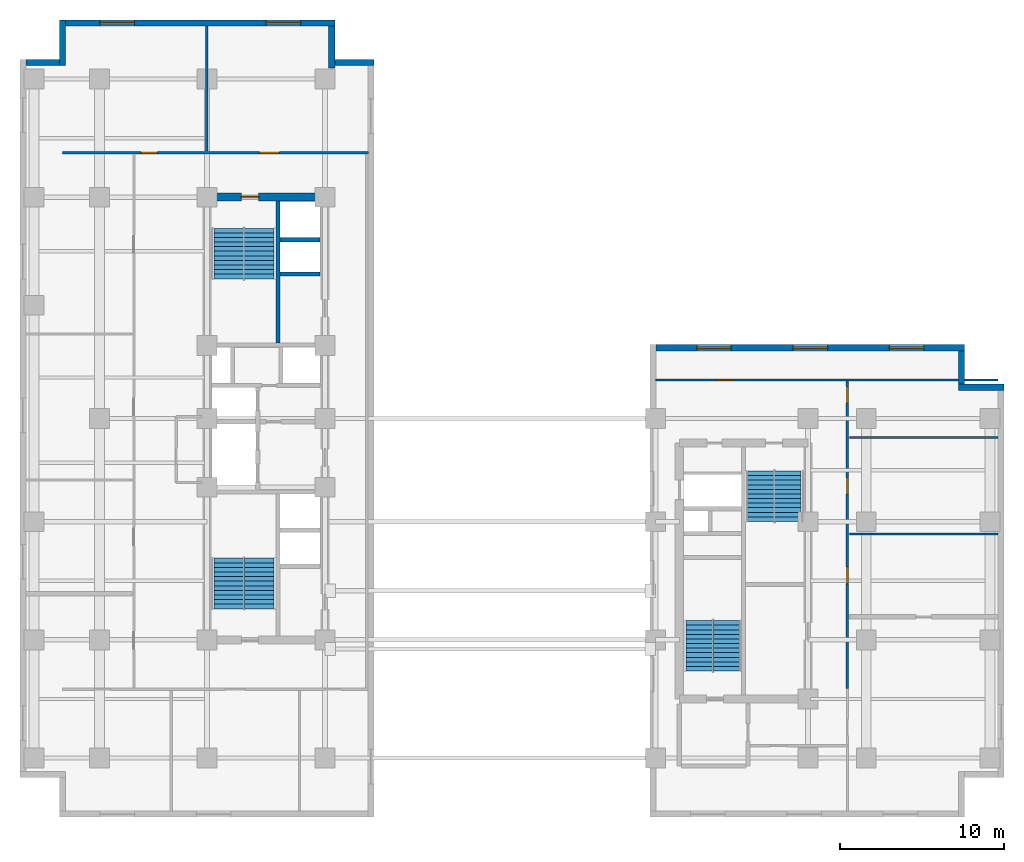
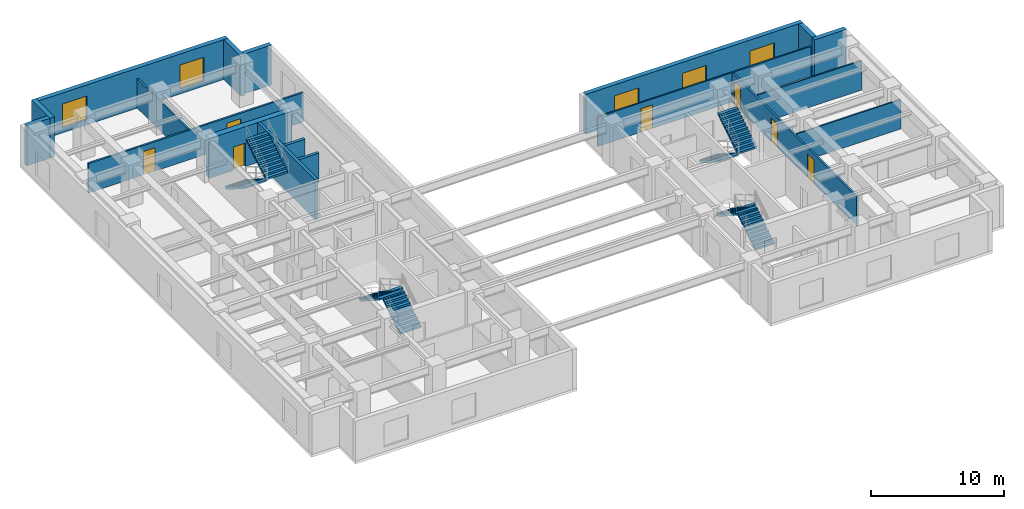
# One storey, part 5 of 8: 18 walls, 8 stair flights, 7 doors, 5 windows, 12 openings, 4 elements without a shape of their own.
"""IFC4 building model written with IfcOpenShell, lengths in metres."""

import ifcopenshell
import ifcopenshell.guid

model = None  # the IFC model being written
_history = None  # IfcOwnerHistory: only IFC2X3 demands one
_inside = {}  # id of a spatial element -> (the spatial element, [elements in it])
_under = {}  # id of a project, library or spatial element -> (it, [spatial elements below it])
_declared = {}  # id of a project -> (the project, [libraries it declares])
_typed = {}  # id of a type object -> (the type object, [elements of that type])
_made_of = {}  # id of a material, layer set ... -> (it, [elements and type objects made of it])


def new_model(schema):
    """Start an empty IFC model of exactly this schema.

    Asked for "IFC4X3", IfcOpenShell would pick the latest addendum, in which some entities
    have other attributes; the version numbers below select the first issue.
    IFC2X3 requires an IfcOwnerHistory on every rooted entity: one is made here for all.
    """
    global model, _history
    if schema == "IFC4X3":
        model = ifcopenshell.file(schema_version=(4, 3, 0, 0))
    else:
        model = ifcopenshell.file(schema=schema)
    _inside.clear()
    _under.clear()
    _declared.clear()
    _typed.clear()
    _made_of.clear()
    _history = None
    if model.schema == "IFC2X3":
        org = make("IfcOrganization", Name="unknown")
        user = make(
            "IfcPersonAndOrganization",
            ThePerson=make("IfcPerson", FamilyName="unknown"),
            TheOrganization=org,
        )
        app = make(
            "IfcApplication",
            ApplicationDeveloper=org,
            Version="unknown",
            ApplicationFullName="unknown",
            ApplicationIdentifier="unknown",
        )
        _history = make(
            "IfcOwnerHistory",
            OwningUser=user,
            OwningApplication=app,
            ChangeAction="ADDED",
            CreationDate=0,
        )
    return model


def make(cls, **values):
    """One entity of the class cls with the attributes given. An attribute that is None is left unset."""
    return model.create_entity(
        cls, **{name: value for name, value in values.items() if value is not None}
    )


def entity(cls, *values):
    """Any entity or typed value of the class cls, its attributes in the order of the schema. None: left unset."""
    e = model.create_entity(cls)
    for i, value in enumerate(values):
        if value is not None:
            e[i] = value
    return e


def rooted(cls, **values):
    """An entity with a GlobalId (a new one), such as an element, a storey or a relation."""
    return make(cls, GlobalId=ifcopenshell.guid.new(), OwnerHistory=_history, **values)


def si_unit(unit_type, name, prefix=None):
    """IfcSIUnit, for example si_unit("LENGTHUNIT", "METRE", prefix="MILLI")."""
    return make("IfcSIUnit", UnitType=unit_type, Prefix=prefix, Name=name)


def converted_unit(unit_type, name, factor, base, dimensions=None, offset=None):
    """IfcConversionBasedUnit, such as the inch: factor (a typed value) times the base unit."""
    return make(
        "IfcConversionBasedUnit"
        if offset is None
        else "IfcConversionBasedUnitWithOffset",
        ConversionOffset=offset,
        Dimensions=None
        if dimensions is None
        else entity("IfcDimensionalExponents", *dimensions),
        UnitType=unit_type,
        Name=name,
        ConversionFactor=make(
            "IfcMeasureWithUnit", ValueComponent=factor, UnitComponent=base
        ),
    )


def assignment(units):
    """IfcUnitAssignment: the units of a project."""
    return None if units is None else make("IfcUnitAssignment", Units=units)


def point(xyz):
    """IfcCartesianPoint."""
    return None if xyz is None else make("IfcCartesianPoint", Coordinates=xyz)


def direction(xyz):
    """IfcDirection."""
    return None if xyz is None else make("IfcDirection", DirectionRatios=xyz)


def frame(location, z_axis=None, x_axis=None):
    """IfcAxis2Placement3D, a coordinate frame: its origin and axes. An axis left out is left unset."""
    return make(
        "IfcAxis2Placement3D",
        Location=point(location),
        Axis=direction(z_axis),
        RefDirection=direction(x_axis),
    )


def frame_2d(location, x_axis=None):
    """IfcAxis2Placement2D, a coordinate frame in the plane: its origin and x axis."""
    return make(
        "IfcAxis2Placement2D", Location=point(location), RefDirection=direction(x_axis)
    )


def origin_with_axes():
    """The frame at (0, 0, 0) with the z axis (0, 0, 1) and the x axis (1, 0, 0) written out."""
    return frame((0.0, 0.0, 0.0), z_axis=(0.0, 0.0, 1.0), x_axis=(1.0, 0.0, 0.0))


def origin_2d_with_axis():
    """The frame at (0, 0) in the plane with the x axis (1, 0) written out."""
    return frame_2d((0.0, 0.0), x_axis=(1.0, 0.0))


def place(relative_to, where):
    """IfcLocalPlacement: puts the frame where relative to a parent placement (None: the world)."""
    return make(
        "IfcLocalPlacement", PlacementRelTo=relative_to, RelativePlacement=where
    )


def context(
    kind, dimensions, precision=None, world=None, true_north=None, identifier=None
):
    """IfcGeometricRepresentationContext, for example the 3D "Model" context."""
    return make(
        "IfcGeometricRepresentationContext",
        ContextIdentifier=identifier,
        ContextType=kind,
        CoordinateSpaceDimension=dimensions,
        Precision=precision,
        WorldCoordinateSystem=world,
        TrueNorth=true_north,
    )


def subcontext(parent, identifier, kind, view, scale=None):
    """IfcGeometricRepresentationSubContext, for example "Body" below "Model"."""
    return make(
        "IfcGeometricRepresentationSubContext",
        ContextIdentifier=identifier,
        ContextType=kind,
        ParentContext=parent,
        TargetScale=scale,
        TargetView=view,
    )


def project(units=None, contexts=None):
    """IfcProject with its units and contexts."""
    return rooted(
        "IfcProject",
        Name="project",
        RepresentationContexts=contexts,
        UnitsInContext=assignment(units),
    )


def spatial(cls, under=None, at=None, **own):
    """A site, building, storey or space (cls), placed at a placement, below another one or the project."""
    s = rooted(cls, ObjectPlacement=at, **own)
    if under is not None:
        _under.setdefault(under.id(), (under, []))[1].append(s)
    return s


def polyline(points):
    """IfcPolyline through the points."""
    return make("IfcPolyline", Points=[point(p) for p in points])


def profile(cls, at=None, kind="AREA", **sizes):
    """A parametric profile (cls). Its sizes go by their IFC names, for example OverallWidth=200.0."""
    return make(cls, ProfileType=kind, Position=at, **sizes)


def rectangle(**sizes):
    """IfcRectangleProfileDef."""
    return profile("IfcRectangleProfileDef", **sizes)


def outline(outer, holes=None, kind="AREA"):
    """IfcArbitraryClosedProfileDef: a profile drawn as a closed curve; with holes, ...WithVoids."""
    if holes is None:
        return make("IfcArbitraryClosedProfileDef", ProfileType=kind, OuterCurve=outer)
    return make(
        "IfcArbitraryProfileDefWithVoids",
        ProfileType=kind,
        OuterCurve=outer,
        InnerCurves=holes,
    )


def extrude(swept, where, along, depth):
    """IfcExtrudedAreaSolid: the profile swept, set in the frame where, extruded along a direction by depth."""
    return make(
        "IfcExtrudedAreaSolid",
        SweptArea=swept,
        Position=where,
        ExtrudedDirection=direction(along),
        Depth=depth,
    )


def shape(context_of_items, identifier, shape_type, items):
    """IfcShapeRepresentation: the items that make up one representation, for example the "Body"."""
    return make(
        "IfcShapeRepresentation",
        ContextOfItems=context_of_items,
        RepresentationIdentifier=identifier,
        RepresentationType=shape_type,
        Items=items,
    )


def material(Name=None, Category=None):
    """IfcMaterial."""
    return make("IfcMaterial", Name=Name, Category=Category)


def layer(
    of_material, thickness, ventilated=None, Name=None, Category=None, Priority=None
):
    """IfcMaterialLayer: one layer of a wall or slab, of a material (None: an air gap)."""
    return make(
        "IfcMaterialLayer",
        Material=of_material,
        LayerThickness=thickness,
        IsVentilated=ventilated,
        Name=Name,
        Category=Category,
        Priority=Priority,
    )


def layer_set(layers, Name=None):
    """IfcMaterialLayerSet."""
    return make("IfcMaterialLayerSet", MaterialLayers=layers, LayerSetName=Name)


def made_of(thing, what):
    """Note that an element or type object is made of a material, layer set ...; save() writes the relation."""
    if what is not None:
        _made_of.setdefault(what.id(), (what, []))[1].append(thing)
    return thing


def type_object(cls, material=None, **own):
    """A type object (cls), such as IfcWallType, which elements share."""
    return made_of(rooted(cls, **own), material)


def element(
    cls,
    number,
    at=None,
    inside=None,
    cuts=None,
    type_object=None,
    material=None,
    context=None,
    identifier="Body",
    shape_type=None,
    held_by="IfcProductDefinitionShape",
    body=None,
    shapes=None,
    **own,
):
    """One element of the class cls, such as IfcWall. Its Tag is "e" and its number.

    at: its placement. inside: the storey or other place that contains it. cuts: it is an
    opening in that element (IfcRelVoidsElement). A single representation is given by context,
    identifier, shape_type and body (its items); several are given by shapes. held_by: the class
    of the entity that holds the representations. save() writes the other relations.
    """
    e = rooted(cls, Tag="e%d" % number, ObjectPlacement=at, **own)
    if body is not None:
        shapes = [shape(context, identifier, shape_type, body)]
    if shapes is not None:
        e.Representation = make(held_by, Representations=shapes)
    if inside is not None:
        _inside.setdefault(inside.id(), (inside, []))[1].append(e)
    if cuts is not None:
        rooted(
            "IfcRelVoidsElement", RelatingBuildingElement=cuts, RelatedOpeningElement=e
        )
    if type_object is not None:
        _typed.setdefault(type_object.id(), (type_object, []))[1].append(e)
    return made_of(e, material)


def fill(opening, filler):
    """IfcRelFillsElement: the door or window that sits in an opening."""
    return rooted(
        "IfcRelFillsElement",
        RelatingOpeningElement=opening,
        RelatedBuildingElement=filler,
    )


def aggregate(whole, parts):
    """IfcRelAggregates: a whole, such as a stair, and the parts it consists of."""
    return rooted("IfcRelAggregates", RelatingObject=whole, RelatedObjects=parts)


def save(model, path):
    """Write the relations noted so far, then the file.

    IfcRelAggregates (storeys below a building ...), IfcRelContainedInSpatialStructure (elements
    in a storey), IfcRelDefinesByType, IfcRelAssociatesMaterial and IfcRelDeclares: one each for
    every whole, place, type object, material and project.
    """
    for whole, parts in _under.values():
        aggregate(whole, parts)
    for where, things in _inside.values():
        rooted(
            "IfcRelContainedInSpatialStructure",
            RelatedElements=things,
            RelatingStructure=where,
        )
    for kind, things in _typed.values():
        rooted("IfcRelDefinesByType", RelatedObjects=things, RelatingType=kind)
    for what, things in _made_of.values():
        rooted("IfcRelAssociatesMaterial", RelatedObjects=things, RelatingMaterial=what)
    for by, libraries in _declared.values():
        rooted("IfcRelDeclares", RelatingContext=by, RelatedDefinitions=libraries)
    model.write(path)


model = new_model("IFC4")

# Units and contexts
model_context = context("Model", 3, precision=1e-05, world=origin_with_axes(), true_north=direction((0.0, 1.0)))
body_context = subcontext(model_context, "Body", "Model", "MODEL_VIEW")
ifc_project = project(units=[si_unit("LENGTHUNIT", "METRE"), si_unit("AREAUNIT", "SQUARE_METRE"), si_unit("VOLUMEUNIT", "CUBIC_METRE"), converted_unit("PLANEANGLEUNIT", "DEGREE", entity("IfcPlaneAngleMeasure", 0.017453292519943295), si_unit("PLANEANGLEUNIT", "RADIAN"), dimensions=[0, 0, 0, 0, 0, 0, 0]), si_unit("MASSUNIT", "GRAM", prefix="KILO"), si_unit("THERMODYNAMICTEMPERATUREUNIT", "KELVIN")], contexts=[model_context])

# Site, building, storey
site_placement = place(None, origin_with_axes())
site = spatial("IfcSite", under=ifc_project, at=site_placement, CompositionType="ELEMENT")
building_placement = place(site_placement, origin_with_axes())
building = spatial("IfcBuilding", under=site, at=building_placement, Name="Varnlund Millrace Tower", CompositionType="ELEMENT")
storey_placement = place(building_placement, frame((0.0, 0.0, 100.8), z_axis=(0.0, 0.0, 1.0), x_axis=(1.0, 0.0, 0.0)))
storey = spatial("IfcBuildingStorey", under=building, at=storey_placement, Name="L24", CompositionType="ELEMENT", Elevation=100.8)

# Wall, opening, door
ifc_material_1 = material(Name="Concrete C70/85", Category="concrete")
ifc_layer_1 = layer(ifc_material_1, 0.5, Name="Concrete C70/85")
ifc_layer_set_1 = layer_set([ifc_layer_1], Name="Concrete C70/85")
wall_type_1 = type_object("IfcWallType", Name="Type-CoreWall-Shear-500-C70", PredefinedType="SHEAR", material=ifc_layer_set_1)
wall_1_placement = place(storey_placement, frame((11.4, 37.8, 0.0), z_axis=(0.0, 0.0, 1.0), x_axis=(1.0, 0.0, 0.0)))
wall_1 = element("IfcWall", 1, at=wall_1_placement, inside=storey, type_object=wall_type_1, Name="Type-CoreWall-Shear-500-C70", PredefinedType="SHEAR", context=body_context, shape_type="SweptSolid", body=[
    extrude(outline(polyline([(0.0, -0.25), (7.2, -0.25), (7.2, 0.25), (0.0, 0.25), (0.0, -0.25)])), origin_with_axes(), (0.0, 0.0, 1.0), 3.66),
])
opening_1_placement = place(wall_1_placement, frame((2.625, 0.0, 0.0), z_axis=(0.0, 0.0, 1.0), x_axis=(1.0, 0.0, 0.0)))
opening_1 = element("IfcOpeningElement", 2, at=opening_1_placement, cuts=wall_1, Name="Opening L24:DR-STA2", PredefinedType="OPENING", context=body_context, shape_type="SweptSolid", body=[
    extrude(rectangle(XDim=1.05, YDim=0.52, at=origin_2d_with_axis()), origin_with_axes(), (0.0, 0.0, 1.0), 2.15),
])
ifc_material_2 = material(Name="Fire-rated hollow steel door", Category="steel")
door_type_1 = type_object("IfcDoorType", Name="Type-FireDoor-Stair-1050X2150", OperationType="NOTDEFINED", PredefinedType="DOOR", material=ifc_material_2)
door_1_placement = place(wall_1_placement, frame((2.625, 0.0, 0.0), z_axis=(0.0, 0.0, 1.0), x_axis=(1.0, 0.0, 0.0)))
door_1 = element("IfcDoor", 3, at=door_1_placement, inside=storey, type_object=door_type_1, Name="Type-FireDoor-Stair-1050X2150", OperationType="SINGLE_SWING_RIGHT", OverallHeight=2.15, OverallWidth=1.05, PredefinedType="DOOR", context=body_context, shape_type="SweptSolid", body=[
    extrude(rectangle(XDim=1.05, YDim=0.09, at=origin_2d_with_axis()), origin_with_axes(), (0.0, 0.0, 1.0), 2.15),
])
fill(opening_1, door_1)

# Walls
ifc_material_3 = material(Name="Precast concrete C50/60", Category="concrete")
ifc_layer_2 = layer(ifc_material_3, 0.38, Name="Precast concrete C50/60")
ifc_layer_set_2 = layer_set([ifc_layer_2], Name="Precast concrete C50/60")
wall_type_2 = type_object("IfcWallType", Name="Type-ExtWall-Precast-Tube-380", PredefinedType="SOLIDWALL", material=ifc_layer_set_2)
wall_2_placement = place(storey_placement, frame((0.38, 46.01, 0.0), z_axis=(0.0, 0.0, 1.0), x_axis=(1.0, 0.0, 0.0)))
element("IfcWall", 4, at=wall_2_placement, inside=storey, type_object=wall_type_2, Name="Type-ExtWall-Precast-Tube-380", PredefinedType="SOLIDWALL", context=body_context, shape_type="SweptSolid", body=[
    extrude(outline(polyline([(0.0, -0.19), (2.02, -0.19), (2.02, 0.19), (0.0, 0.19), (0.0, -0.19)])), origin_with_axes(), (0.0, 0.0, 1.0), 3.66),
])
wall_3_placement = place(storey_placement, frame((2.59, 45.82, 0.0), z_axis=(0.0, 0.0, 1.0), x_axis=(0.0, 1.0, 0.0)))
element("IfcWall", 5, at=wall_3_placement, inside=storey, type_object=wall_type_2, Name="Type-ExtWall-Precast-Tube-380", PredefinedType="SOLIDWALL", context=body_context, shape_type="SweptSolid", body=[
    extrude(outline(polyline([(0.0, -0.19), (2.78, -0.19), (2.78, 0.19), (0.0, 0.19), (0.0, -0.19)])), origin_with_axes(), (0.0, 0.0, 1.0), 3.66),
])

# Wall, openings, windows
wall_4_placement = place(storey_placement, frame((2.78, 48.41, 0.0), z_axis=(0.0, 0.0, 1.0), x_axis=(1.0, 0.0, 0.0)))
wall_4 = element("IfcWall", 6, at=wall_4_placement, inside=storey, type_object=wall_type_2, Name="Type-ExtWall-Precast-Tube-380", PredefinedType="SOLIDWALL", context=body_context, shape_type="SweptSolid", body=[
    extrude(outline(polyline([(0.0, -0.19), (16.42, -0.19), (16.42, 0.19), (0.0, 0.19), (0.0, -0.19)])), origin_with_axes(), (0.0, 0.0, 1.0), 3.66),
])
opening_2_placement = place(wall_4_placement, frame((3.137, 0.0, 0.45), z_axis=(0.0, 0.0, 1.0), x_axis=(1.0, 0.0, 0.0)))
opening_2 = element("IfcOpeningElement", 7, at=opening_2_placement, cuts=wall_4, Name="Opening L24:WN-06", PredefinedType="OPENING", context=body_context, shape_type="SweptSolid", body=[
    extrude(rectangle(XDim=2.1, YDim=0.4, at=origin_2d_with_axis()), origin_with_axes(), (0.0, 0.0, 1.0), 2.2),
])
opening_3_placement = place(wall_4_placement, frame((13.283, 0.0, 0.45), z_axis=(0.0, 0.0, 1.0), x_axis=(1.0, 0.0, 0.0)))
opening_3 = element("IfcOpeningElement", 8, at=opening_3_placement, cuts=wall_4, Name="Opening L24:WN-07", PredefinedType="OPENING", context=body_context, shape_type="SweptSolid", body=[
    extrude(rectangle(XDim=2.1, YDim=0.4, at=origin_2d_with_axis()), origin_with_axes(), (0.0, 0.0, 1.0), 2.2),
])
ifc_material_4 = material(Name="Argon low-e triple glazing in thermally broken bronze frame", Category="glass")
window_type = type_object("IfcWindowType", Name="Type-Window-Punched-2100X2200", PartitioningType="SINGLE_PANEL", PredefinedType="WINDOW", material=ifc_material_4)
window_1_placement = place(wall_4_placement, frame((3.137, 0.0, 0.45), z_axis=(0.0, 0.0, 1.0), x_axis=(1.0, 0.0, 0.0)))
window_1 = element("IfcWindow", 9, at=window_1_placement, inside=storey, type_object=window_type, Name="Type-Window-Punched-2100X2200", OverallHeight=2.2, OverallWidth=2.1, PredefinedType="WINDOW", context=body_context, shape_type="SweptSolid", body=[
    extrude(rectangle(XDim=2.1, YDim=0.09, at=origin_2d_with_axis()), origin_with_axes(), (0.0, 0.0, 1.0), 2.2),
])
fill(opening_2, window_1)
window_2_placement = place(wall_4_placement, frame((13.283, 0.0, 0.45), z_axis=(0.0, 0.0, 1.0), x_axis=(1.0, 0.0, 0.0)))
window_2 = element("IfcWindow", 10, at=window_2_placement, inside=storey, type_object=window_type, Name="Type-Window-Punched-2100X2200", OverallHeight=2.2, OverallWidth=2.1, PredefinedType="WINDOW", context=body_context, shape_type="SweptSolid", body=[
    extrude(rectangle(XDim=2.1, YDim=0.09, at=origin_2d_with_axis()), origin_with_axes(), (0.0, 0.0, 1.0), 2.2),
])
fill(opening_3, window_2)

# Walls
wall_5_placement = place(storey_placement, frame((19.01, 48.22, 0.0), z_axis=(0.0, 0.0, 1.0), x_axis=(0.0, -1.0, 0.0)))
element("IfcWall", 11, at=wall_5_placement, inside=storey, type_object=wall_type_2, Name="Type-ExtWall-Precast-Tube-380", PredefinedType="SOLIDWALL", context=body_context, shape_type="SweptSolid", body=[
    extrude(outline(polyline([(0.0, -0.19), (2.56, -0.19), (2.56, 0.19), (0.0, 0.19), (0.0, -0.19)])), origin_with_axes(), (0.0, 0.0, 1.0), 3.66),
])
wall_6_placement = place(storey_placement, frame((18.82, 46.01, 0.0), z_axis=(0.0, 0.0, 1.0), x_axis=(1.0, 0.0, 0.0)))
element("IfcWall", 12, at=wall_6_placement, inside=storey, type_object=wall_type_2, Name="Type-ExtWall-Precast-Tube-380", PredefinedType="SOLIDWALL", context=body_context, shape_type="SweptSolid", body=[
    extrude(outline(polyline([(0.0, -0.19), (2.78, -0.19), (2.78, 0.19), (0.0, 0.19), (0.0, -0.19)])), origin_with_axes(), (0.0, 0.0, 1.0), 3.66),
])

# Wall, openings, windows
wall_7_placement = place(storey_placement, frame((38.78, 28.61, 0.0), z_axis=(0.0, 0.0, 1.0), x_axis=(1.0, 0.0, 0.0)))
wall_7 = element("IfcWall", 13, at=wall_7_placement, inside=storey, type_object=wall_type_2, Name="Type-ExtWall-Precast-Tube-380", PredefinedType="SOLIDWALL", context=body_context, shape_type="SweptSolid", body=[
    extrude(outline(polyline([(0.0, -0.19), (18.82, -0.19), (18.82, 0.19), (0.0, 0.19), (0.0, -0.19)])), origin_with_axes(), (0.0, 0.0, 1.0), 3.66),
])
opening_4_placement = place(wall_7_placement, frame((3.537, 0.0, 0.45), z_axis=(0.0, 0.0, 1.0), x_axis=(1.0, 0.0, 0.0)))
opening_4 = element("IfcOpeningElement", 14, at=opening_4_placement, cuts=wall_7, Name="Opening L24:WN-12", PredefinedType="OPENING", context=body_context, shape_type="SweptSolid", body=[
    extrude(rectangle(XDim=2.1, YDim=0.4, at=origin_2d_with_axis()), origin_with_axes(), (0.0, 0.0, 1.0), 2.2),
])
opening_5_placement = place(wall_7_placement, frame((9.41, 0.0, 0.45), z_axis=(0.0, 0.0, 1.0), x_axis=(1.0, 0.0, 0.0)))
opening_5 = element("IfcOpeningElement", 15, at=opening_5_placement, cuts=wall_7, Name="Opening L24:WN-13", PredefinedType="OPENING", context=body_context, shape_type="SweptSolid", body=[
    extrude(rectangle(XDim=2.1, YDim=0.4, at=origin_2d_with_axis()), origin_with_axes(), (0.0, 0.0, 1.0), 2.2),
])
opening_6_placement = place(wall_7_placement, frame((15.283, 0.0, 0.45), z_axis=(0.0, 0.0, 1.0), x_axis=(1.0, 0.0, 0.0)))
opening_6 = element("IfcOpeningElement", 16, at=opening_6_placement, cuts=wall_7, Name="Opening L24:WN-14", PredefinedType="OPENING", context=body_context, shape_type="SweptSolid", body=[
    extrude(rectangle(XDim=2.1, YDim=0.4, at=origin_2d_with_axis()), origin_with_axes(), (0.0, 0.0, 1.0), 2.2),
])
window_3_placement = place(wall_7_placement, frame((3.537, 0.0, 0.45), z_axis=(0.0, 0.0, 1.0), x_axis=(1.0, 0.0, 0.0)))
window_3 = element("IfcWindow", 17, at=window_3_placement, inside=storey, type_object=window_type, Name="Type-Window-Punched-2100X2200", OverallHeight=2.2, OverallWidth=2.1, PredefinedType="WINDOW", context=body_context, shape_type="SweptSolid", body=[
    extrude(rectangle(XDim=2.1, YDim=0.09, at=origin_2d_with_axis()), origin_with_axes(), (0.0, 0.0, 1.0), 2.2),
])
fill(opening_4, window_3)
window_4_placement = place(wall_7_placement, frame((9.41, 0.0, 0.45), z_axis=(0.0, 0.0, 1.0), x_axis=(1.0, 0.0, 0.0)))
window_4 = element("IfcWindow", 18, at=window_4_placement, inside=storey, type_object=window_type, Name="Type-Window-Punched-2100X2200", OverallHeight=2.2, OverallWidth=2.1, PredefinedType="WINDOW", context=body_context, shape_type="SweptSolid", body=[
    extrude(rectangle(XDim=2.1, YDim=0.09, at=origin_2d_with_axis()), origin_with_axes(), (0.0, 0.0, 1.0), 2.2),
])
fill(opening_5, window_4)
window_5_placement = place(wall_7_placement, frame((15.283, 0.0, 0.45), z_axis=(0.0, 0.0, 1.0), x_axis=(1.0, 0.0, 0.0)))
window_5 = element("IfcWindow", 19, at=window_5_placement, inside=storey, type_object=window_type, Name="Type-Window-Punched-2100X2200", OverallHeight=2.2, OverallWidth=2.1, PredefinedType="WINDOW", context=body_context, shape_type="SweptSolid", body=[
    extrude(rectangle(XDim=2.1, YDim=0.09, at=origin_2d_with_axis()), origin_with_axes(), (0.0, 0.0, 1.0), 2.2),
])
fill(opening_6, window_5)

# Walls
wall_8_placement = place(storey_placement, frame((57.41, 28.42, 0.0), z_axis=(0.0, 0.0, 1.0), x_axis=(0.0, -1.0, 0.0)))
element("IfcWall", 20, at=wall_8_placement, inside=storey, type_object=wall_type_2, Name="Type-ExtWall-Precast-Tube-380", PredefinedType="SOLIDWALL", context=body_context, shape_type="SweptSolid", body=[
    extrude(outline(polyline([(0.0, -0.19), (2.02, -0.19), (2.02, 0.19), (0.0, 0.19), (0.0, -0.19)])), origin_with_axes(), (0.0, 0.0, 1.0), 3.66),
])
wall_9_placement = place(storey_placement, frame((57.22, 26.21, 0.0), z_axis=(0.0, 0.0, 1.0), x_axis=(1.0, 0.0, 0.0)))
element("IfcWall", 21, at=wall_9_placement, inside=storey, type_object=wall_type_2, Name="Type-ExtWall-Precast-Tube-380", PredefinedType="SOLIDWALL", context=body_context, shape_type="SweptSolid", body=[
    extrude(outline(polyline([(0.0, -0.19), (2.78, -0.19), (2.78, 0.19), (0.0, 0.19), (0.0, -0.19)])), origin_with_axes(), (0.0, 0.0, 1.0), 3.66),
])

# Wall, openings, doors
ifc_material_5 = material(Name="Fire-rated gypsum board on cold-formed steel framing", Category="steel")
ifc_layer_3 = layer(ifc_material_5, 0.16, Name="Fire-rated gypsum board on cold-formed steel framing")
ifc_layer_set_3 = layer_set([ifc_layer_3], Name="Fire-rated gypsum board on cold-formed steel framing")
wall_type_3 = type_object("IfcWallType", Name="Type-Partition-Corridor-160", PredefinedType="PARTITIONING", material=ifc_layer_set_3)
wall_10_placement = place(storey_placement, frame((2.6, 40.5, 0.0), z_axis=(0.0, 0.0, 1.0), x_axis=(1.0, 0.0, 0.0)))
wall_10 = element("IfcWall", 22, at=wall_10_placement, inside=storey, type_object=wall_type_3, Name="Type-Partition-Corridor-160", PredefinedType="PARTITIONING", context=body_context, shape_type="SweptSolid", body=[
    extrude(outline(polyline([(0.0, -0.08), (18.65, -0.08), (18.65, 0.08), (0.0, 0.08), (0.0, -0.08)])), origin_with_axes(), (0.0, 0.0, 1.0), 2.7),
])
opening_7_placement = place(wall_10_placement, frame((5.275, 0.0, 0.0), z_axis=(0.0, 0.0, 1.0), x_axis=(1.0, 0.0, 0.0)))
opening_7 = element("IfcOpeningElement", 23, at=opening_7_placement, cuts=wall_10, Name="Opening L24:DR-WAN-01", PredefinedType="OPENING", context=body_context, shape_type="SweptSolid", body=[
    extrude(rectangle(XDim=1.0, YDim=0.18, at=origin_2d_with_axis()), origin_with_axes(), (0.0, 0.0, 1.0), 2.15),
])
opening_8_placement = place(wall_10_placement, frame((12.61, 0.0, 0.0), z_axis=(0.0, 0.0, 1.0), x_axis=(1.0, 0.0, 0.0)))
opening_8 = element("IfcOpeningElement", 24, at=opening_8_placement, cuts=wall_10, Name="Opening L24:DR-WAN-02", PredefinedType="OPENING", context=body_context, shape_type="SweptSolid", body=[
    extrude(rectangle(XDim=1.2, YDim=0.18, at=origin_2d_with_axis()), origin_with_axes(), (0.0, 0.0, 1.0), 2.2),
])
ifc_material_6 = material(Name="Wide executive white oak acoustic door")
door_type_2 = type_object("IfcDoorType", Name="Type-IntDoor-Exec-1200X2200", OperationType="NOTDEFINED", PredefinedType="DOOR", material=ifc_material_6)
door_2_placement = place(wall_10_placement, frame((12.61, 0.0, 0.0), z_axis=(0.0, 0.0, 1.0), x_axis=(1.0, 0.0, 0.0)))
door_2 = element("IfcDoor", 25, at=door_2_placement, inside=storey, type_object=door_type_2, Name="Type-IntDoor-Exec-1200X2200", OperationType="SINGLE_SWING_RIGHT", OverallHeight=2.2, OverallWidth=1.2, PredefinedType="DOOR", context=body_context, shape_type="SweptSolid", body=[
    extrude(rectangle(XDim=1.2, YDim=0.09, at=origin_2d_with_axis()), origin_with_axes(), (0.0, 0.0, 1.0), 2.2),
])
fill(opening_8, door_2)
ifc_material_7 = material(Name="Solid-core white oak and bronze frame door")
door_type_3 = type_object("IfcDoorType", Name="Type-IntDoor-Office-1000X2150", OperationType="NOTDEFINED", PredefinedType="DOOR", material=ifc_material_7)
door_3_placement = place(wall_10_placement, frame((5.275, 0.0, 0.0), z_axis=(0.0, 0.0, 1.0), x_axis=(1.0, 0.0, 0.0)))
door_3 = element("IfcDoor", 26, at=door_3_placement, inside=storey, type_object=door_type_3, Name="Type-IntDoor-Office-1000X2150", OperationType="SINGLE_SWING_LEFT", OverallHeight=2.15, OverallWidth=1.0, PredefinedType="DOOR", context=body_context, shape_type="SweptSolid", body=[
    extrude(rectangle(XDim=1.0, YDim=0.09, at=origin_2d_with_axis()), origin_with_axes(), (0.0, 0.0, 1.0), 2.15),
])
fill(opening_7, door_3)

wall_11_placement = place(storey_placement, frame((50.45, 7.85, 0.0), z_axis=(0.0, 0.0, 1.0), x_axis=(0.0, 1.0, 0.0)))
wall_11 = element("IfcWall", 27, at=wall_11_placement, inside=storey, type_object=wall_type_3, Name="Type-Partition-Corridor-160", PredefinedType="PARTITIONING", context=body_context, shape_type="SweptSolid", body=[
    extrude(outline(polyline([(0.0, -0.08), (18.8, -0.08), (18.8, 0.08), (0.0, 0.08), (0.0, -0.08)])), origin_with_axes(), (0.0, 0.0, 1.0), 2.7),
])
opening_9_placement = place(wall_11_placement, frame((6.8875, 0.0, 0.0), z_axis=(0.0, 0.0, 1.0), x_axis=(1.0, 0.0, 0.0)))
opening_9 = element("IfcOpeningElement", 28, at=opening_9_placement, cuts=wall_11, Name="Opening L24:DR-WB-02", PredefinedType="OPENING", context=body_context, shape_type="SweptSolid", body=[
    extrude(rectangle(XDim=1.0, YDim=0.18, at=origin_2d_with_axis()), origin_with_axes(), (0.0, 0.0, 1.0), 2.15),
])
opening_10_placement = place(wall_11_placement, frame((12.353, 0.0, 0.0), z_axis=(0.0, 0.0, 1.0), x_axis=(1.0, 0.0, 0.0)))
opening_10 = element("IfcOpeningElement", 29, at=opening_10_placement, cuts=wall_11, Name="Opening L24:DR-WB-03", PredefinedType="OPENING", context=body_context, shape_type="SweptSolid", body=[
    extrude(rectangle(XDim=1.0, YDim=0.18, at=origin_2d_with_axis()), origin_with_axes(), (0.0, 0.0, 1.0), 2.15),
])
opening_11_placement = place(wall_11_placement, frame((17.895, 0.0, 0.0), z_axis=(0.0, 0.0, 1.0), x_axis=(1.0, 0.0, 0.0)))
opening_11 = element("IfcOpeningElement", 30, at=opening_11_placement, cuts=wall_11, Name="Opening L24:DR-WB-04", PredefinedType="OPENING", context=body_context, shape_type="SweptSolid", body=[
    extrude(rectangle(XDim=1.0, YDim=0.18, at=origin_2d_with_axis()), origin_with_axes(), (0.0, 0.0, 1.0), 2.15),
])
door_4_placement = place(wall_11_placement, frame((6.8875, 0.0, 0.0), z_axis=(0.0, 0.0, 1.0), x_axis=(1.0, 0.0, 0.0)))
door_4 = element("IfcDoor", 31, at=door_4_placement, inside=storey, type_object=door_type_3, Name="Type-IntDoor-Office-1000X2150", OperationType="SINGLE_SWING_RIGHT", OverallHeight=2.15, OverallWidth=1.0, PredefinedType="DOOR", context=body_context, shape_type="SweptSolid", body=[
    extrude(rectangle(XDim=1.0, YDim=0.09, at=origin_2d_with_axis()), origin_with_axes(), (0.0, 0.0, 1.0), 2.15),
])
fill(opening_9, door_4)
door_5_placement = place(wall_11_placement, frame((12.353, 0.0, 0.0), z_axis=(0.0, 0.0, 1.0), x_axis=(1.0, 0.0, 0.0)))
door_5 = element("IfcDoor", 32, at=door_5_placement, inside=storey, type_object=door_type_3, Name="Type-IntDoor-Office-1000X2150", OperationType="SINGLE_SWING_LEFT", OverallHeight=2.15, OverallWidth=1.0, PredefinedType="DOOR", context=body_context, shape_type="SweptSolid", body=[
    extrude(rectangle(XDim=1.0, YDim=0.09, at=origin_2d_with_axis()), origin_with_axes(), (0.0, 0.0, 1.0), 2.15),
])
fill(opening_10, door_5)
door_6_placement = place(wall_11_placement, frame((17.895, 0.0, 0.0), z_axis=(0.0, 0.0, 1.0), x_axis=(1.0, 0.0, 0.0)))
door_6 = element("IfcDoor", 33, at=door_6_placement, inside=storey, type_object=door_type_3, Name="Type-IntDoor-Office-1000X2150", OperationType="SINGLE_SWING_RIGHT", OverallHeight=2.15, OverallWidth=1.0, PredefinedType="DOOR", context=body_context, shape_type="SweptSolid", body=[
    extrude(rectangle(XDim=1.0, YDim=0.09, at=origin_2d_with_axis()), origin_with_axes(), (0.0, 0.0, 1.0), 2.15),
])
fill(opening_11, door_6)

# Wall
ifc_material_8 = material(Name="Acoustic STC-50 gypsum board partition", Category="gypsum")
ifc_layer_4 = layer(ifc_material_8, 0.15, Name="Acoustic STC-50 gypsum board partition")
ifc_layer_set_4 = layer_set([ifc_layer_4], Name="Acoustic STC-50 gypsum board partition")
wall_type_4 = type_object("IfcWallType", Name="Type-Partition-Demising-150", PredefinedType="PARTITIONING", material=ifc_layer_set_4)
wall_12_placement = place(storey_placement, frame((11.4, 40.6, 0.0), z_axis=(0.0, 0.0, 1.0), x_axis=(0.0, 1.0, 0.0)))
element("IfcWall", 34, at=wall_12_placement, inside=storey, type_object=wall_type_4, Name="Type-Partition-Demising-150", PredefinedType="PARTITIONING", context=body_context, shape_type="SweptSolid", body=[
    extrude(outline(polyline([(0.0, -0.075), (7.64, -0.075), (7.64, 0.075), (0.0, 0.075), (0.0, -0.075)])), origin_with_axes(), (0.0, 0.0, 1.0), 2.7),
])

# Wall, opening, door
ifc_material_9 = material(Name="Gypsum board tenant partition", Category="gypsum")
ifc_layer_5 = layer(ifc_material_9, 0.125, Name="Gypsum board tenant partition")
ifc_layer_set_5 = layer_set([ifc_layer_5], Name="Gypsum board tenant partition")
wall_type_5 = type_object("IfcWallType", Name="Type-Partition-Tenant-125", PredefinedType="PARTITIONING", material=ifc_layer_set_5)
wall_13_placement = place(storey_placement, frame((38.76, 26.65, 0.0), z_axis=(0.0, 0.0, 1.0), x_axis=(1.0, 0.0, 0.0)))
wall_13 = element("IfcWall", 35, at=wall_13_placement, inside=storey, type_object=wall_type_5, Name="Type-Partition-Tenant-125", PredefinedType="PARTITIONING", context=body_context, shape_type="SweptSolid", body=[
    extrude(outline(polyline([(0.0, -0.0625), (20.88, -0.0625), (20.88, 0.0625), (0.0, 0.0625), (0.0, -0.0625)])), origin_with_axes(), (0.0, 0.0, 1.0), 2.7),
])
opening_12_placement = place(wall_13_placement, frame((4.24, 0.0, 0.0), z_axis=(0.0, 0.0, 1.0), x_axis=(1.0, 0.0, 0.0)))
opening_12 = element("IfcOpeningElement", 36, at=opening_12_placement, cuts=wall_13, Name="Opening L24:DR-WBN-01", PredefinedType="OPENING", context=body_context, shape_type="SweptSolid", body=[
    extrude(rectangle(XDim=1.0, YDim=0.145, at=origin_2d_with_axis()), origin_with_axes(), (0.0, 0.0, 1.0), 2.15),
])
door_7_placement = place(wall_13_placement, frame((4.24, 0.0, 0.0), z_axis=(0.0, 0.0, 1.0), x_axis=(1.0, 0.0, 0.0)))
door_7 = element("IfcDoor", 37, at=door_7_placement, inside=storey, type_object=door_type_3, Name="Type-IntDoor-Office-1000X2150", OperationType="SINGLE_SWING_RIGHT", OverallHeight=2.15, OverallWidth=1.0, PredefinedType="DOOR", context=body_context, shape_type="SweptSolid", body=[
    extrude(rectangle(XDim=1.0, YDim=0.075, at=origin_2d_with_axis()), origin_with_axes(), (0.0, 0.0, 1.0), 2.15),
])
fill(opening_12, door_7)

# Walls
for number, where, z_axis, x_axis, name in (
    (38, (50.57, 17.266, 0.0), (0.0, 0.0, 1.0), (1.0, 0.0, 0.0), "Type-Partition-Tenant-125"),
    (39, (50.57, 23.14, 0.0), (0.0, 0.0, 1.0), (1.0, 0.0, 0.0), "Type-Partition-Tenant-125"),
):
    element("IfcWall", number, at=place(storey_placement, frame(where, z_axis=z_axis, x_axis=x_axis)), inside=storey, type_object=wall_type_5, Name=name, PredefinedType="PARTITIONING", context=body_context, shape_type="SweptSolid", body=[
        extrude(outline(polyline([(0.0, -0.0625), (9.055, -0.0625), (9.055, 0.0625), (0.0, 0.0625), (0.0, -0.0625)])), origin_with_axes(), (0.0, 0.0, 1.0), 2.7),
    ])
ifc_material_10 = material(Name="Concrete C60/75", Category="concrete")
ifc_layer_6 = layer(ifc_material_10, 0.25, Name="Concrete C60/75")
ifc_layer_set_6 = layer_set([ifc_layer_6], Name="Concrete C60/75")
wall_type_6 = type_object("IfcWallType", Name="Type-ShaftWall-Fire-250", PredefinedType="SOLIDWALL", material=ifc_layer_set_6)
for number, where, z_axis, x_axis, name in (
    (40, (15.84, 33.1, 0.0), (0.0, 0.0, 1.0), (1.0, 0.0, 0.0), "Type-ShaftWall-Fire-250"),
    (41, (15.84, 35.2, 0.0), (0.0, 0.0, 1.0), (1.0, 0.0, 0.0), "Type-ShaftWall-Fire-250"),
):
    element("IfcWall", number, at=place(storey_placement, frame(where, z_axis=z_axis, x_axis=x_axis)), inside=storey, type_object=wall_type_6, Name=name, PredefinedType="SOLIDWALL", context=body_context, shape_type="SweptSolid", body=[
        extrude(outline(polyline([(0.0, -0.125), (2.46, -0.125), (2.46, 0.125), (0.0, 0.125), (0.0, -0.125)])), origin_with_axes(), (0.0, 0.0, 1.0), 2.7),
    ])
wall_type_7 = type_object("IfcWallType", Name="Type-StairWall-Shear-250", PredefinedType="SHEAR", material=ifc_layer_set_6)
wall_14_placement = place(storey_placement, frame((15.725, 28.9, 0.0), z_axis=(0.0, 0.0, 1.0), x_axis=(0.0, 1.0, 0.0)))
element("IfcWall", 42, at=wall_14_placement, inside=storey, type_object=wall_type_7, Name="Type-StairWall-Shear-250", PredefinedType="SHEAR", context=body_context, shape_type="SweptSolid", body=[
    extrude(outline(polyline([(0.0, -0.125), (8.65, -0.125), (8.65, 0.125), (0.0, 0.125), (0.0, -0.125)])), origin_with_axes(), (0.0, 0.0, 1.0), 3.66),
])

# Stair, stair flights
ifc_material_11 = material(Name="Concrete C50/60", Category="concrete")
stair_type_1 = type_object("IfcStairType", Name="Type-Stair-Dogleg-165-390", PredefinedType="HALF_TURN_STAIR", material=ifc_material_11)
stair_1_placement = place(storey_placement, origin_with_axes())
stair_1 = element("IfcStair", 43, at=stair_1_placement, inside=storey, type_object=stair_type_1, Name="Type-Stair-Dogleg-165-390", PredefinedType="HALF_TURN_STAIR")
stair_flight_type_1 = type_object("IfcStairFlightType", Name="Type-Dogleg-Run-165-390", PredefinedType="STRAIGHT", material=ifc_material_3)
stair_flight_1_placement = place(storey_placement, frame((42.225, 8.9, 0.0), z_axis=(1.0, 0.0, 0.0), x_axis=(0.0, 1.0, 0.0)))
stair_flight_1 = element("IfcStairFlight", 44, at=stair_flight_1_placement, type_object=stair_flight_type_1, Name="ST-B1 flight 1", NumberOfRisers=11, NumberOfTreads=11, PredefinedType="STRAIGHT", RiserHeight=0.177273, TreadLength=0.28, context=body_context, shape_type="SweptSolid", body=[
    extrude(outline(polyline([(0.0, 0.0), (0.0, 0.177273), (0.28, 0.177273), (0.28, 0.354545), (0.56, 0.354545), (0.56, 0.531818), (0.84, 0.531818), (0.84, 0.709091), (1.12, 0.709091), (1.12, 0.886364), (1.4, 0.886364), (1.4, 1.063636), (1.68, 1.063636), (1.68, 1.240909), (1.96, 1.240909), (1.96, 1.418182), (2.24, 1.418182), (2.24, 1.595454), (2.52, 1.595454), (2.52, 1.772727), (2.8, 1.772727), (2.8, 1.95), (3.08, 1.95), (3.08, 1.8), (0.28, 0.0), (0.0, 0.0)])), origin_with_axes(), (0.0, 0.0, 1.0), 1.65),
])
stair_flight_2_placement = place(storey_placement, frame((42.275, 11.98, 1.95), z_axis=(-1.0, 0.0, 0.0), x_axis=(0.0, -1.0, 0.0)))
stair_flight_2 = element("IfcStairFlight", 45, at=stair_flight_2_placement, type_object=stair_flight_type_1, Name="ST-B1 flight 2", NumberOfRisers=11, NumberOfTreads=11, PredefinedType="STRAIGHT", RiserHeight=0.177273, TreadLength=0.28, context=body_context, shape_type="SweptSolid", body=[
    extrude(outline(polyline([(0.0, 0.0), (0.0, 0.177273), (0.28, 0.177273), (0.28, 0.354545), (0.56, 0.354545), (0.56, 0.531818), (0.84, 0.531818), (0.84, 0.709091), (1.12, 0.709091), (1.12, 0.886364), (1.4, 0.886364), (1.4, 1.063636), (1.68, 1.063636), (1.68, 1.240909), (1.96, 1.240909), (1.96, 1.418182), (2.24, 1.418182), (2.24, 1.595454), (2.52, 1.595454), (2.52, 1.772727), (2.8, 1.772727), (2.8, 1.95), (3.08, 1.95), (3.08, 1.8), (0.28, 0.0), (0.0, 0.0)])), origin_with_axes(), (0.0, 0.0, 1.0), 1.65),
])
aggregate(stair_1, [stair_flight_1, stair_flight_2])

stair_2_placement = place(storey_placement, origin_with_axes())
stair_2 = element("IfcStair", 46, at=stair_2_placement, inside=storey, type_object=stair_type_1, Name="Type-Stair-Dogleg-165-390", PredefinedType="HALF_TURN_STAIR")
stair_flight_3_placement = place(storey_placement, frame((46.025, 21.1, 0.0), z_axis=(-1.0, 0.0, 0.0), x_axis=(0.0, -1.0, 0.0)))
stair_flight_3 = element("IfcStairFlight", 47, at=stair_flight_3_placement, type_object=stair_flight_type_1, Name="ST-B2 flight 1", NumberOfRisers=11, NumberOfTreads=11, PredefinedType="STRAIGHT", RiserHeight=0.177273, TreadLength=0.28, context=body_context, shape_type="SweptSolid", body=[
    extrude(outline(polyline([(0.0, 0.0), (0.0, 0.177273), (0.28, 0.177273), (0.28, 0.354545), (0.56, 0.354545), (0.56, 0.531818), (0.84, 0.531818), (0.84, 0.709091), (1.12, 0.709091), (1.12, 0.886364), (1.4, 0.886364), (1.4, 1.063636), (1.68, 1.063636), (1.68, 1.240909), (1.96, 1.240909), (1.96, 1.418182), (2.24, 1.418182), (2.24, 1.595454), (2.52, 1.595454), (2.52, 1.772727), (2.8, 1.772727), (2.8, 1.95), (3.08, 1.95), (3.08, 1.8), (0.28, 0.0), (0.0, 0.0)])), origin_with_axes(), (0.0, 0.0, 1.0), 1.65),
])
stair_flight_4_placement = place(storey_placement, frame((45.975, 18.02, 1.95), z_axis=(1.0, 0.0, 0.0), x_axis=(0.0, 1.0, 0.0)))
stair_flight_4 = element("IfcStairFlight", 48, at=stair_flight_4_placement, type_object=stair_flight_type_1, Name="ST-B2 flight 2", NumberOfRisers=11, NumberOfTreads=11, PredefinedType="STRAIGHT", RiserHeight=0.177273, TreadLength=0.28, context=body_context, shape_type="SweptSolid", body=[
    extrude(outline(polyline([(0.0, 0.0), (0.0, 0.177273), (0.28, 0.177273), (0.28, 0.354545), (0.56, 0.354545), (0.56, 0.531818), (0.84, 0.531818), (0.84, 0.709091), (1.12, 0.709091), (1.12, 0.886364), (1.4, 0.886364), (1.4, 1.063636), (1.68, 1.063636), (1.68, 1.240909), (1.96, 1.240909), (1.96, 1.418182), (2.24, 1.418182), (2.24, 1.595454), (2.52, 1.595454), (2.52, 1.772727), (2.8, 1.772727), (2.8, 1.95), (3.08, 1.95), (3.08, 1.8), (0.28, 0.0), (0.0, 0.0)])), origin_with_axes(), (0.0, 0.0, 1.0), 1.65),
])
aggregate(stair_2, [stair_flight_3, stair_flight_4])

stair_type_2 = type_object("IfcStairType", Name="Type-Stair-Dogleg-185-390", PredefinedType="HALF_TURN_STAIR", material=ifc_material_11)
stair_3_placement = place(storey_placement, origin_with_axes())
stair_3 = element("IfcStair", 49, at=stair_3_placement, inside=storey, type_object=stair_type_2, Name="Type-Stair-Dogleg-185-390", PredefinedType="HALF_TURN_STAIR")
stair_flight_type_2 = type_object("IfcStairFlightType", Name="Type-Dogleg-Run-185-390", PredefinedType="STRAIGHT", material=ifc_material_3)
stair_flight_5_placement = place(storey_placement, frame((13.625, 12.7, 0.0), z_axis=(1.0, 0.0, 0.0), x_axis=(0.0, 1.0, 0.0)))
stair_flight_5 = element("IfcStairFlight", 50, at=stair_flight_5_placement, type_object=stair_flight_type_2, Name="ST-A1 flight 1", NumberOfRisers=11, NumberOfTreads=11, PredefinedType="STRAIGHT", RiserHeight=0.177273, TreadLength=0.28, context=body_context, shape_type="SweptSolid", body=[
    extrude(outline(polyline([(0.0, 0.0), (0.0, 0.177273), (0.28, 0.177273), (0.28, 0.354545), (0.56, 0.354545), (0.56, 0.531818), (0.84, 0.531818), (0.84, 0.709091), (1.12, 0.709091), (1.12, 0.886364), (1.4, 0.886364), (1.4, 1.063636), (1.68, 1.063636), (1.68, 1.240909), (1.96, 1.240909), (1.96, 1.418182), (2.24, 1.418182), (2.24, 1.595454), (2.52, 1.595454), (2.52, 1.772727), (2.8, 1.772727), (2.8, 1.95), (3.08, 1.95), (3.08, 1.8), (0.28, 0.0), (0.0, 0.0)])), origin_with_axes(), (0.0, 0.0, 1.0), 1.85),
])
stair_flight_6_placement = place(storey_placement, frame((13.675, 15.78, 1.95), z_axis=(-1.0, 0.0, 0.0), x_axis=(0.0, -1.0, 0.0)))
stair_flight_6 = element("IfcStairFlight", 51, at=stair_flight_6_placement, type_object=stair_flight_type_2, Name="ST-A1 flight 2", NumberOfRisers=11, NumberOfTreads=11, PredefinedType="STRAIGHT", RiserHeight=0.177273, TreadLength=0.28, context=body_context, shape_type="SweptSolid", body=[
    extrude(outline(polyline([(0.0, 0.0), (0.0, 0.177273), (0.28, 0.177273), (0.28, 0.354545), (0.56, 0.354545), (0.56, 0.531818), (0.84, 0.531818), (0.84, 0.709091), (1.12, 0.709091), (1.12, 0.886364), (1.4, 0.886364), (1.4, 1.063636), (1.68, 1.063636), (1.68, 1.240909), (1.96, 1.240909), (1.96, 1.418182), (2.24, 1.418182), (2.24, 1.595454), (2.52, 1.595454), (2.52, 1.772727), (2.8, 1.772727), (2.8, 1.95), (3.08, 1.95), (3.08, 1.8), (0.28, 0.0), (0.0, 0.0)])), origin_with_axes(), (0.0, 0.0, 1.0), 1.85),
])
aggregate(stair_3, [stair_flight_5, stair_flight_6])

stair_4_placement = place(storey_placement, origin_with_axes())
stair_4 = element("IfcStair", 52, at=stair_4_placement, inside=storey, type_object=stair_type_2, Name="Type-Stair-Dogleg-185-390", PredefinedType="HALF_TURN_STAIR")
stair_flight_7_placement = place(storey_placement, frame((13.675, 35.9, 0.0), z_axis=(-1.0, 0.0, 0.0), x_axis=(0.0, -1.0, 0.0)))
stair_flight_7 = element("IfcStairFlight", 53, at=stair_flight_7_placement, type_object=stair_flight_type_2, Name="ST-A2 flight 1", NumberOfRisers=11, NumberOfTreads=11, PredefinedType="STRAIGHT", RiserHeight=0.177273, TreadLength=0.28, context=body_context, shape_type="SweptSolid", body=[
    extrude(outline(polyline([(0.0, 0.0), (0.0, 0.177273), (0.28, 0.177273), (0.28, 0.354545), (0.56, 0.354545), (0.56, 0.531818), (0.84, 0.531818), (0.84, 0.709091), (1.12, 0.709091), (1.12, 0.886364), (1.4, 0.886364), (1.4, 1.063636), (1.68, 1.063636), (1.68, 1.240909), (1.96, 1.240909), (1.96, 1.418182), (2.24, 1.418182), (2.24, 1.595454), (2.52, 1.595454), (2.52, 1.772727), (2.8, 1.772727), (2.8, 1.95), (3.08, 1.95), (3.08, 1.8), (0.28, 0.0), (0.0, 0.0)])), origin_with_axes(), (0.0, 0.0, 1.0), 1.85),
])
stair_flight_8_placement = place(storey_placement, frame((13.625, 32.82, 1.95), z_axis=(1.0, 0.0, 0.0), x_axis=(0.0, 1.0, 0.0)))
stair_flight_8 = element("IfcStairFlight", 54, at=stair_flight_8_placement, type_object=stair_flight_type_2, Name="ST-A2 flight 2", NumberOfRisers=11, NumberOfTreads=11, PredefinedType="STRAIGHT", RiserHeight=0.177273, TreadLength=0.28, context=body_context, shape_type="SweptSolid", body=[
    extrude(outline(polyline([(0.0, 0.0), (0.0, 0.177273), (0.28, 0.177273), (0.28, 0.354545), (0.56, 0.354545), (0.56, 0.531818), (0.84, 0.531818), (0.84, 0.709091), (1.12, 0.709091), (1.12, 0.886364), (1.4, 0.886364), (1.4, 1.063636), (1.68, 1.063636), (1.68, 1.240909), (1.96, 1.240909), (1.96, 1.418182), (2.24, 1.418182), (2.24, 1.595454), (2.52, 1.595454), (2.52, 1.772727), (2.8, 1.772727), (2.8, 1.95), (3.08, 1.95), (3.08, 1.8), (0.28, 0.0), (0.0, 0.0)])), origin_with_axes(), (0.0, 0.0, 1.0), 1.85),
])
aggregate(stair_4, [stair_flight_7, stair_flight_8])

save(model, "model.ifc")
